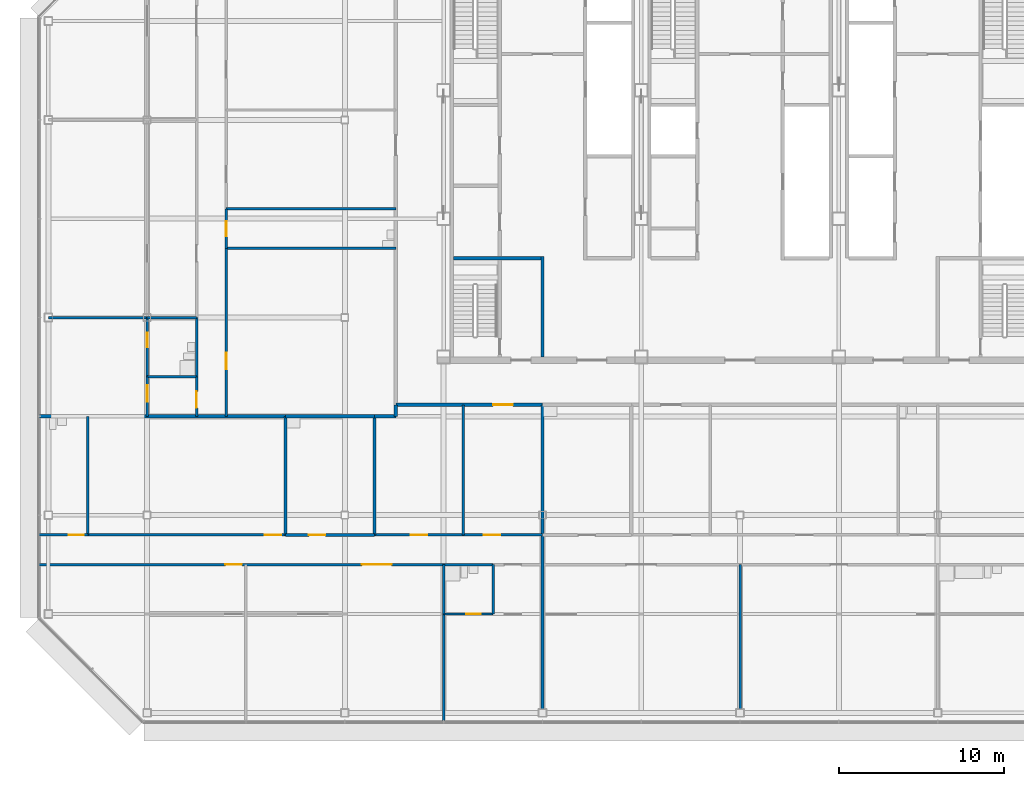
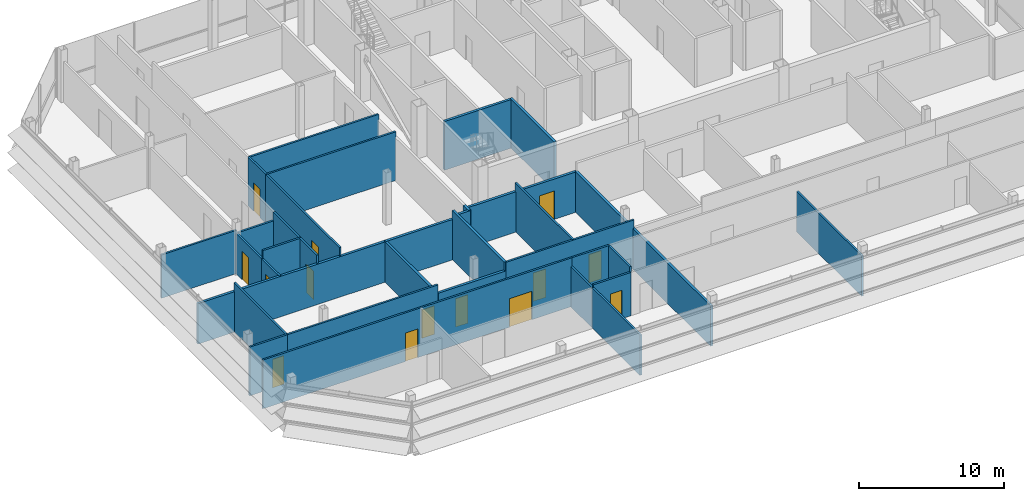
# One storey, part 21 of 29: 35 walls, 14 doors, 14 openings.
"""IFC4 building model written with IfcOpenShell, lengths in metres."""

from ifc_helpers import new_model, si_unit, direction, frame, frame_2d, origin, place, context, subcontext, project, spatial, rectangle, extrude, material, layer, layer_set, type_object, element, fill, save


model = new_model("IFC4")

# Units and contexts
model_context = context("Model", 3, precision=1e-05, world=origin(), true_north=direction((0.0, 1.0)))
body_context = subcontext(model_context, "Body", "Model", "MODEL_VIEW")
ifc_project = project(units=[si_unit("LENGTHUNIT", "METRE"), si_unit("AREAUNIT", "SQUARE_METRE"), si_unit("VOLUMEUNIT", "CUBIC_METRE"), si_unit("PLANEANGLEUNIT", "RADIAN"), si_unit("MASSUNIT", "GRAM", prefix="KILO")], contexts=[model_context])

# Site, building, storey
site_placement = place(None, origin())
site = spatial("IfcSite", under=ifc_project, at=site_placement, CompositionType="ELEMENT")
building_placement = place(site_placement, origin())
building = spatial("IfcBuilding", under=site, at=building_placement, Name="Sorahane Residences", CompositionType="ELEMENT")
storey_placement = place(building_placement, frame((0.0, 0.0, 326.800048828125)))
storey = spatial("IfcBuildingStorey", under=building, at=storey_placement, Name="L78", CompositionType="ELEMENT", Elevation=326.800048828125)

# Wall, opening, door
ifc_material_1 = material(Name="Concrete blockwork C20 wall", Category="masonry")
ifc_layer_1 = layer(ifc_material_1, 0.199951171875)
ifc_layer_set_1 = layer_set([ifc_layer_1], Name="Corridor wall 200 EI 120")
wall_type_1 = type_object("IfcWallType", Name="Corridor wall 200 EI 120", PredefinedType="SOLIDWALL", material=ifc_layer_set_1)
wall_1_placement = place(storey_placement, frame((3.10009765625, 18.699951171875, 0.0), z_axis=(0.0, 0.0, 1.0), x_axis=(1.0, 0.0, 0.0)))
wall_1 = element("IfcWall", 1, at=wall_1_placement, inside=storey, type_object=wall_type_1, Name="L78 corridor wall", PredefinedType="SOLIDWALL", context=body_context, shape_type="SweptSolid", body=[
    extrude(rectangle(XDim=8.89990234375, YDim=0.199951171875, at=frame_2d((4.449951171875, 0.0))), origin(), (0.0, 0.0, 1.0), 3.39990234375),
])
opening_1_placement = place(wall_1_placement, frame((5.89990234375, 0.0, 0.0)))
opening_1 = element("IfcOpeningElement", 2, at=opening_1_placement, cuts=wall_1, Name="Opening L78-38", PredefinedType="OPENING", context=body_context, shape_type="SweptSolid", body=[
    extrude(rectangle(XDim=1.199951171875, YDim=2.39990234375, at=frame_2d((0.60009765625, 1.199951171875))), frame((0.0, 0.10986328125, 0.0), z_axis=(0.0, -1.0, 0.0), x_axis=(1.0, 0.0, 0.0)), (0.0, 0.0, 1.0), 0.219970703125),
])
ifc_material_2 = material(Name="Timber veneered fire door", Category="wood")
door_type_1 = type_object("IfcDoorType", Name="Flat entrance door 1200x2400 FD60", OperationType="NOTDEFINED", PredefinedType="DOOR", material=ifc_material_2)
door_1_placement = place(opening_1_placement, frame((1.199951171875, 0.0, 0.0), z_axis=(0.0, 0.0, 1.0), x_axis=(-1.0, 0.0, 0.0)))
door_1 = element("IfcDoor", 3, at=door_1_placement, inside=storey, type_object=door_type_1, Name="Flat entrance door L78-38", OperationType="SINGLE_SWING_RIGHT", OverallHeight=2.39990234375, OverallWidth=1.199951171875, PredefinedType="DOOR", context=body_context, shape_type="SweptSolid", body=[
    extrude(rectangle(XDim=1.199951171875, YDim=2.39990234375, at=frame_2d((0.60009765625, 1.199951171875))), frame((0.0, 0.02490234375, 0.0), z_axis=(0.0, -1.0, 0.0), x_axis=(1.0, 0.0, 0.0)), (0.0, 0.0, 1.0), 0.050048828125),
])
fill(opening_1, door_1)

# Walls
ifc_material_3 = material(Name="Concrete C30", Category="concrete")
ifc_layer_2 = layer(ifc_material_3, 0.199951171875)
ifc_layer_set_2 = layer_set([ifc_layer_2], Name="Front room wall 200 EI 120")
wall_type_2 = type_object("IfcWallType", Name="Front room wall 200 EI 120", PredefinedType="PARTITIONING", material=ifc_layer_set_2)
wall_2_placement = place(storey_placement, frame((12.0, 21.60009765625, 0.0), z_axis=(0.0, 0.0, 1.0), x_axis=(0.0, 1.0, 0.0)))
element("IfcWall", 4, at=wall_2_placement, inside=storey, type_object=wall_type_2, Name="L78 front room wall", PredefinedType="PARTITIONING", context=body_context, shape_type="SweptSolid", body=[
    extrude(rectangle(XDim=6.099853515625, YDim=0.199951171875, at=frame_2d((3.0498046875, 0.0))), origin(), (0.0, 0.0, 1.0), 4.099853515625),
])
ifc_material_4 = material(Name="Concrete blockwork C20 wall", Category="masonry")
ifc_layer_3 = layer(ifc_material_4, 0.199951171875)
ifc_layer_set_3 = layer_set([ifc_layer_3], Name="Kitchen wall 200 EI 180")
wall_type_3 = type_object("IfcWallType", Name="Kitchen wall 200 EI 180", PredefinedType="SOLIDWALL", material=ifc_layer_set_3)
wall_3_placement = place(storey_placement, frame((-3.60009765625, 10.800048828125, 0.0), z_axis=(0.0, 0.0, 1.0), x_axis=(0.0, 1.0, 0.0)))
element("IfcWall", 5, at=wall_3_placement, inside=storey, type_object=wall_type_3, Name="L78 kitchen wall", PredefinedType="SOLIDWALL", context=body_context, shape_type="SweptSolid", body=[
    extrude(rectangle(XDim=7.199951171875, YDim=0.199951171875, at=frame_2d((3.60009765625, 0.0))), origin(), (0.0, 0.0, 1.0), 3.39990234375),
])
wall_4_placement = place(storey_placement, frame((1.800048828125, 10.800048828125, 0.0), z_axis=(0.0, 0.0, 1.0), x_axis=(0.0, 1.0, 0.0)))
element("IfcWall", 6, at=wall_4_placement, inside=storey, type_object=wall_type_3, Name="L78 kitchen wall", PredefinedType="SOLIDWALL", context=body_context, shape_type="SweptSolid", body=[
    extrude(rectangle(XDim=7.199951171875, YDim=0.199951171875, at=frame_2d((3.60009765625, 0.0))), origin(), (0.0, 0.0, 1.0), 4.099853515625),
])
wall_5_placement = place(storey_placement, frame((12.0, 10.800048828125, 0.0), z_axis=(0.0, 0.0, 1.0), x_axis=(0.0, 1.0, 0.0)))
element("IfcWall", 7, at=wall_5_placement, inside=storey, type_object=wall_type_3, Name="L78 kitchen wall", PredefinedType="SOLIDWALL", context=body_context, shape_type="SweptSolid", body=[
    extrude(rectangle(XDim=7.89990234375, YDim=0.199951171875, at=frame_2d((3.949951171875, 0.0))), origin(), (0.0, 0.0, 1.0), 3.39990234375),
])

# Wall, opening, door
wall_6_placement = place(storey_placement, frame((-3.60009765625, 10.800048828125, 0.0), z_axis=(0.0, 0.0, 1.0), x_axis=(1.0, 0.0, 0.0)))
wall_6 = element("IfcWall", 8, at=wall_6_placement, inside=storey, type_object=wall_type_3, Name="L78 kitchen wall", PredefinedType="SOLIDWALL", context=body_context, shape_type="SweptSolid", body=[
    extrude(rectangle(XDim=5.400146484375, YDim=0.199951171875, at=frame_2d((2.7001953125, 0.0))), origin(), (0.0, 0.0, 1.0), 3.39990234375),
])
opening_2_placement = place(wall_6_placement, frame((1.419921875, 0.0, 0.0)))
opening_2 = element("IfcOpeningElement", 9, at=opening_2_placement, cuts=wall_6, Name="Opening L78-04", PredefinedType="OPENING", context=body_context, shape_type="SweptSolid", body=[
    extrude(rectangle(XDim=1.0, YDim=2.39990234375, at=frame_2d((0.5, 1.199951171875))), frame((0.0, 0.10986328125, 0.0), z_axis=(0.0, -1.0, 0.0), x_axis=(1.0, 0.0, 0.0)), (0.0, 0.0, 1.0), 0.219970703125),
])
ifc_material_5 = material(Name="Steel", Category="steel")
door_type_2 = type_object("IfcDoorType", Name="Kitchen door 1000x2400 FD120", OperationType="NOTDEFINED", PredefinedType="DOOR", material=ifc_material_5)
door_2_placement = place(opening_2_placement, origin())
door_2 = element("IfcDoor", 10, at=door_2_placement, inside=storey, type_object=door_type_2, Name="Kitchen door L78-04", OperationType="SINGLE_SWING_RIGHT", OverallHeight=2.39990234375, OverallWidth=1.0, PredefinedType="DOOR", context=body_context, shape_type="SweptSolid", body=[
    extrude(rectangle(XDim=1.0, YDim=2.39990234375, at=frame_2d((0.5, 1.199951171875))), frame((0.0, 0.02490234375, 0.0), z_axis=(0.0, -1.0, 0.0), x_axis=(1.0, 0.0, 0.0)), (0.0, 0.0, 1.0), 0.050048828125),
])
fill(opening_2, door_2)

# Wall
wall_7_placement = place(storey_placement, frame((-3.60009765625, 18.0, 0.0), z_axis=(0.0, 0.0, 1.0), x_axis=(1.0, 0.0, 0.0)))
element("IfcWall", 11, at=wall_7_placement, inside=storey, type_object=wall_type_3, Name="L78 kitchen wall", PredefinedType="SOLIDWALL", context=body_context, shape_type="SweptSolid", body=[
    extrude(rectangle(XDim=5.400146484375, YDim=0.199951171875, at=frame_2d((2.7001953125, 0.0))), origin(), (0.0, 0.0, 1.0), 3.39990234375),
])

# Wall, opening, door
ifc_material_6 = material(Name="Gypsum board partition on steel studs", Category="steel")
ifc_layer_4 = layer(ifc_material_6, 0.14990234375)
ifc_layer_set_4 = layer_set([ifc_layer_4], Name="Partition 150 EI 90")
wall_type_4 = type_object("IfcWallType", Name="Partition 150 EI 90", PredefinedType="PARTITIONING", material=ifc_layer_set_4)
wall_8_placement = place(storey_placement, frame((-12.0, 18.0, 0.0), z_axis=(0.0, 0.0, 1.0), x_axis=(0.0, 1.0, 0.0)))
wall_8 = element("IfcWall", 12, at=wall_8_placement, inside=storey, type_object=wall_type_4, Name="L78 partition", PredefinedType="PARTITIONING", context=body_context, shape_type="SweptSolid", body=[
    extrude(rectangle(XDim=2.39990234375, YDim=0.14990234375, at=frame_2d((1.199951171875, 0.0))), origin(), (0.0, 0.0, 1.0), 3.39990234375),
])
opening_3_placement = place(wall_8_placement, frame((0.8798828125, 0.0, 0.0)))
opening_3 = element("IfcOpeningElement", 13, at=opening_3_placement, cuts=wall_8, Name="Opening L78-34", PredefinedType="OPENING", context=body_context, shape_type="SweptSolid", body=[
    extrude(rectangle(XDim=1.0, YDim=2.39990234375, at=frame_2d((0.5, 1.199951171875))), frame((0.0, 0.0849609375, 0.0), z_axis=(0.0, -1.0, 0.0), x_axis=(1.0, 0.0, 0.0)), (0.0, 0.0, 1.0), 0.169921875),
])
ifc_material_7 = material(Name="Timber veneered fire door", Category="wood")
door_type_3 = type_object("IfcDoorType", Name="Room door 1000x2400 FD30", OperationType="NOTDEFINED", PredefinedType="DOOR", material=ifc_material_7)
door_3_placement = place(opening_3_placement, origin())
door_3 = element("IfcDoor", 14, at=door_3_placement, inside=storey, type_object=door_type_3, Name="Room door L78-34", OperationType="SINGLE_SWING_LEFT", OverallHeight=2.39990234375, OverallWidth=1.0, PredefinedType="DOOR", context=body_context, shape_type="SweptSolid", body=[
    extrude(rectangle(XDim=1.0, YDim=2.39990234375, at=frame_2d((0.5, 1.199951171875))), frame((0.0, 0.02490234375, 0.0), z_axis=(0.0, -1.0, 0.0), x_axis=(1.0, 0.0, 0.0)), (0.0, 0.0, 1.0), 0.050048828125),
])
fill(opening_3, door_3)

wall_9_placement = place(storey_placement, frame((-7.199951171875, 18.0, 0.0), z_axis=(0.0, 0.0, 1.0), x_axis=(0.0, 1.0, 0.0)))
wall_9 = element("IfcWall", 15, at=wall_9_placement, inside=storey, type_object=wall_type_4, Name="L78 partition", PredefinedType="PARTITIONING", context=body_context, shape_type="SweptSolid", body=[
    extrude(rectangle(XDim=10.199951171875, YDim=0.14990234375, at=frame_2d((5.10009765625, 0.0))), origin(), (0.0, 0.0, 1.0), 4.099853515625),
])
opening_4_placement = place(wall_9_placement, frame((2.860107421875, 0.0, 0.0)))
opening_4 = element("IfcOpeningElement", 16, at=opening_4_placement, cuts=wall_9, Name="Opening L78-27", PredefinedType="OPENING", context=body_context, shape_type="SweptSolid", body=[
    extrude(rectangle(XDim=1.0, YDim=2.39990234375, at=frame_2d((0.5, 1.199951171875))), frame((0.0, 0.0849609375, 0.0), z_axis=(0.0, -1.0, 0.0), x_axis=(1.0, 0.0, 0.0)), (0.0, 0.0, 1.0), 0.169921875),
])
door_4_placement = place(opening_4_placement, frame((1.0, 0.0, 0.0), z_axis=(0.0, 0.0, 1.0), x_axis=(-1.0, 0.0, 0.0)))
door_4 = element("IfcDoor", 17, at=door_4_placement, inside=storey, type_object=door_type_3, Name="Room door L78-27", OperationType="SINGLE_SWING_RIGHT", OverallHeight=2.39990234375, OverallWidth=1.0, PredefinedType="DOOR", context=body_context, shape_type="SweptSolid", body=[
    extrude(rectangle(XDim=1.0, YDim=2.39990234375, at=frame_2d((0.5, 1.199951171875))), frame((0.0, 0.02490234375, 0.0), z_axis=(0.0, -1.0, 0.0), x_axis=(1.0, 0.0, 0.0)), (0.0, 0.0, 1.0), 0.050048828125),
])
fill(opening_4, door_4)

wall_10_placement = place(storey_placement, frame((-9.0, 18.0, 0.0), z_axis=(0.0, 0.0, 1.0), x_axis=(0.0, 1.0, 0.0)))
wall_10 = element("IfcWall", 18, at=wall_10_placement, inside=storey, type_object=wall_type_4, Name="L78 partition", PredefinedType="PARTITIONING", context=body_context, shape_type="SweptSolid", body=[
    extrude(rectangle(XDim=2.39990234375, YDim=0.14990234375, at=frame_2d((1.199951171875, 0.0))), origin(), (0.0, 0.0, 1.0), 4.099853515625),
])
opening_5_placement = place(wall_10_placement, frame((0.52001953125, 0.0, 0.0)))
opening_5 = element("IfcOpeningElement", 19, at=opening_5_placement, cuts=wall_10, Name="Opening L78-31", PredefinedType="OPENING", context=body_context, shape_type="SweptSolid", body=[
    extrude(rectangle(XDim=1.0, YDim=2.39990234375, at=frame_2d((0.5, 1.199951171875))), frame((0.0, 0.0849609375, 0.0), z_axis=(0.0, -1.0, 0.0), x_axis=(1.0, 0.0, 0.0)), (0.0, 0.0, 1.0), 0.169921875),
])
door_5_placement = place(opening_5_placement, origin())
door_5 = element("IfcDoor", 20, at=door_5_placement, inside=storey, type_object=door_type_3, Name="Room door L78-31", OperationType="SINGLE_SWING_RIGHT", OverallHeight=2.39990234375, OverallWidth=1.0, PredefinedType="DOOR", context=body_context, shape_type="SweptSolid", body=[
    extrude(rectangle(XDim=1.0, YDim=2.39990234375, at=frame_2d((0.5, 1.199951171875))), frame((0.0, 0.02490234375, 0.0), z_axis=(0.0, -1.0, 0.0), x_axis=(1.0, 0.0, 0.0)), (0.0, 0.0, 1.0), 0.050048828125),
])
fill(opening_5, door_5)

# Walls
wall_11_placement = place(storey_placement, frame((24.0, 0.0, 0.0), z_axis=(0.0, 0.0, 1.0), x_axis=(0.0, 1.0, 0.0)))
element("IfcWall", 21, at=wall_11_placement, inside=storey, type_object=wall_type_4, Name="L78 partition", PredefinedType="PARTITIONING", context=body_context, shape_type="SweptSolid", body=[
    extrude(rectangle(XDim=9.0, YDim=0.14990234375, at=frame_2d((4.5, 0.0))), origin(), (0.0, 0.0, 1.0), 3.39990234375),
])
wall_12_placement = place(storey_placement, frame((6.0, -0.60009765625, 0.0), z_axis=(0.0, 0.0, 1.0), x_axis=(0.0, 1.0, 0.0)))
element("IfcWall", 22, at=wall_12_placement, inside=storey, type_object=wall_type_4, Name="L78 partition", PredefinedType="PARTITIONING", context=body_context, shape_type="SweptSolid", body=[
    extrude(rectangle(XDim=6.60009765625, YDim=0.14990234375, at=frame_2d((3.300048828125, 0.0))), origin(), (0.0, 0.0, 1.0), 3.39990234375),
])
wall_13_placement = place(storey_placement, frame((7.199951171875, 10.800048828125, 0.0), z_axis=(0.0, 0.0, 1.0), x_axis=(0.0, 1.0, 0.0)))
element("IfcWall", 23, at=wall_13_placement, inside=storey, type_object=wall_type_4, Name="L78 partition", PredefinedType="PARTITIONING", context=body_context, shape_type="SweptSolid", body=[
    extrude(rectangle(XDim=7.89990234375, YDim=0.14990234375, at=frame_2d((3.949951171875, 0.0))), origin(), (0.0, 0.0, 1.0), 4.099853515625),
])

# Wall, opening, door
wall_14_placement = place(storey_placement, frame((-15.60009765625, 10.800048828125, 0.0), z_axis=(0.0, 0.0, 1.0), x_axis=(1.0, 0.0, 0.0)))
wall_14 = element("IfcWall", 24, at=wall_14_placement, inside=storey, type_object=wall_type_4, Name="L78 partition", PredefinedType="PARTITIONING", context=body_context, shape_type="SweptSolid", body=[
    extrude(rectangle(XDim=12.0, YDim=0.14990234375, at=frame_2d((6.0, 0.0))), origin(), (0.0, 0.0, 1.0), 4.099853515625),
])
opening_6_placement = place(wall_14_placement, frame((10.75, 0.0, 0.0)))
opening_6 = element("IfcOpeningElement", 25, at=opening_6_placement, cuts=wall_14, Name="Opening L78-03", PredefinedType="OPENING", context=body_context, shape_type="SweptSolid", body=[
    extrude(rectangle(XDim=1.0, YDim=2.39990234375, at=frame_2d((0.5, 1.199951171875))), frame((0.0, 0.0849609375, 0.0), z_axis=(0.0, -1.0, 0.0), x_axis=(1.0, 0.0, 0.0)), (0.0, 0.0, 1.0), 0.169921875),
])
door_6_placement = place(opening_6_placement, origin())
door_6 = element("IfcDoor", 26, at=door_6_placement, inside=storey, type_object=door_type_3, Name="Room door L78-03", OperationType="SINGLE_SWING_LEFT", OverallHeight=2.39990234375, OverallWidth=1.0, PredefinedType="DOOR", context=body_context, shape_type="SweptSolid", body=[
    extrude(rectangle(XDim=1.0, YDim=2.39990234375, at=frame_2d((0.5, 1.199951171875))), frame((0.0, 0.02490234375, 0.0), z_axis=(0.0, -1.0, 0.0), x_axis=(1.0, 0.0, 0.0)), (0.0, 0.0, 1.0), 0.050048828125),
])
fill(opening_6, door_6)

# Wall, openings, doors
wall_15_placement = place(storey_placement, frame((1.800048828125, 10.800048828125, 0.0), z_axis=(0.0, 0.0, 1.0), x_axis=(1.0, 0.0, 0.0)))
wall_15 = element("IfcWall", 27, at=wall_15_placement, inside=storey, type_object=wall_type_4, Name="L78 partition", PredefinedType="PARTITIONING", context=body_context, shape_type="SweptSolid", body=[
    extrude(rectangle(XDim=10.199951171875, YDim=0.14990234375, at=frame_2d((5.10009765625, 0.0))), origin(), (0.0, 0.0, 1.0), 4.099853515625),
])
opening_7_placement = place(wall_15_placement, frame((6.639892578125, 0.0, 0.0)))
opening_7 = element("IfcOpeningElement", 28, at=opening_7_placement, cuts=wall_15, Name="Opening L78-01", PredefinedType="OPENING", context=body_context, shape_type="SweptSolid", body=[
    extrude(rectangle(XDim=1.0, YDim=2.39990234375, at=frame_2d((0.5, 1.199951171875))), frame((0.0, 0.0849609375, 0.0), z_axis=(0.0, -1.0, 0.0), x_axis=(1.0, 0.0, 0.0)), (0.0, 0.0, 1.0), 0.169921875),
])
opening_8_placement = place(wall_15_placement, frame((2.199951171875, 0.0, 0.0)))
opening_8 = element("IfcOpeningElement", 29, at=opening_8_placement, cuts=wall_15, Name="Opening L78-05", PredefinedType="OPENING", context=body_context, shape_type="SweptSolid", body=[
    extrude(rectangle(XDim=1.0, YDim=2.39990234375, at=frame_2d((0.5, 1.199951171875))), frame((0.0, 0.0849609375, 0.0), z_axis=(0.0, -1.0, 0.0), x_axis=(1.0, 0.0, 0.0)), (0.0, 0.0, 1.0), 0.169921875),
])
door_7_placement = place(opening_7_placement, frame((1.0, 0.0, 0.0), z_axis=(0.0, 0.0, 1.0), x_axis=(-1.0, 0.0, 0.0)))
door_7 = element("IfcDoor", 30, at=door_7_placement, inside=storey, type_object=door_type_3, Name="Room door L78-01", OperationType="SINGLE_SWING_LEFT", OverallHeight=2.39990234375, OverallWidth=1.0, PredefinedType="DOOR", context=body_context, shape_type="SweptSolid", body=[
    extrude(rectangle(XDim=1.0, YDim=2.39990234375, at=frame_2d((0.5, 1.199951171875))), frame((0.0, 0.02490234375, 0.0), z_axis=(0.0, -1.0, 0.0), x_axis=(1.0, 0.0, 0.0)), (0.0, 0.0, 1.0), 0.050048828125),
])
fill(opening_7, door_7)
door_8_placement = place(opening_8_placement, origin())
door_8 = element("IfcDoor", 31, at=door_8_placement, inside=storey, type_object=door_type_3, Name="Room door L78-05", OperationType="SINGLE_SWING_RIGHT", OverallHeight=2.39990234375, OverallWidth=1.0, PredefinedType="DOOR", context=body_context, shape_type="SweptSolid", body=[
    extrude(rectangle(XDim=1.0, YDim=2.39990234375, at=frame_2d((0.5, 1.199951171875))), frame((0.0, 0.02490234375, 0.0), z_axis=(0.0, -1.0, 0.0), x_axis=(1.0, 0.0, 0.0)), (0.0, 0.0, 1.0), 0.050048828125),
])
fill(opening_8, door_8)

# Wall
wall_16_placement = place(storey_placement, frame((-18.0, 24.0, 0.0), z_axis=(0.0, 0.0, 1.0), x_axis=(1.0, 0.0, 0.0)))
element("IfcWall", 32, at=wall_16_placement, inside=storey, type_object=wall_type_4, Name="L78 partition", PredefinedType="PARTITIONING", context=body_context, shape_type="SweptSolid", body=[
    extrude(rectangle(XDim=6.0, YDim=0.14990234375, at=frame_2d((3.0, 0.0))), origin(), (0.0, 0.0, 1.0), 3.64990234375),
])

# Wall, openings, doors
wall_17_placement = place(storey_placement, frame((-18.60009765625, 9.0, 0.0), z_axis=(0.0, 0.0, 1.0), x_axis=(1.0, 0.0, 0.0)))
wall_17 = element("IfcWall", 33, at=wall_17_placement, inside=storey, type_object=wall_type_4, Name="L78 partition", PredefinedType="PARTITIONING", context=body_context, shape_type="SweptSolid", body=[
    extrude(rectangle(XDim=24.60009765625, YDim=0.14990234375, at=frame_2d((12.300048828125, 0.0))), origin(), (0.0, 0.0, 1.0), 4.099853515625),
])
opening_9_placement = place(wall_17_placement, frame((11.35009765625, 0.0, 0.0)))
opening_9 = element("IfcOpeningElement", 34, at=opening_9_placement, cuts=wall_17, Name="Opening L78-06", PredefinedType="OPENING", context=body_context, shape_type="SweptSolid", body=[
    extrude(rectangle(XDim=1.0, YDim=2.39990234375, at=frame_2d((0.5, 1.199951171875))), frame((0.0, 0.0849609375, 0.0), z_axis=(0.0, -1.0, 0.0), x_axis=(1.0, 0.0, 0.0)), (0.0, 0.0, 1.0), 0.169921875),
])
opening_10_placement = place(wall_17_placement, frame((19.639892578125, 0.0, 0.0)))
opening_10 = element("IfcOpeningElement", 35, at=opening_10_placement, cuts=wall_17, Name="Opening L78-07", PredefinedType="OPENING", context=body_context, shape_type="SweptSolid", body=[
    extrude(rectangle(XDim=1.800048828125, YDim=2.39990234375, at=frame_2d((0.89990234375, 1.199951171875))), frame((0.0, 0.0849609375, 0.0), z_axis=(0.0, -1.0, 0.0), x_axis=(1.0, 0.0, 0.0)), (0.0, 0.0, 1.0), 0.169921875),
])
ifc_material_8 = material(Name="Timber veneered fire door", Category="wood")
door_type_4 = type_object("IfcDoorType", Name="Double door 1800x2400 FD30", OperationType="NOTDEFINED", PredefinedType="DOOR", material=ifc_material_8)
door_9_placement = place(opening_10_placement, frame((1.800048828125, 0.0, 0.0), z_axis=(0.0, 0.0, 1.0), x_axis=(-1.0, 0.0, 0.0)))
door_9 = element("IfcDoor", 36, at=door_9_placement, inside=storey, type_object=door_type_4, Name="Double door L78-07", OperationType="SINGLE_SWING_LEFT", OverallHeight=2.39990234375, OverallWidth=1.800048828125, PredefinedType="DOOR", context=body_context, shape_type="SweptSolid", body=[
    extrude(rectangle(XDim=1.800048828125, YDim=2.39990234375, at=frame_2d((0.89990234375, 1.199951171875))), frame((0.0, 0.02490234375, 0.0), z_axis=(0.0, -1.0, 0.0), x_axis=(1.0, 0.0, 0.0)), (0.0, 0.0, 1.0), 0.050048828125),
])
fill(opening_10, door_9)
door_10_placement = place(opening_9_placement, frame((1.0, 0.0, 0.0), z_axis=(0.0, 0.0, 1.0), x_axis=(-1.0, 0.0, 0.0)))
door_10 = element("IfcDoor", 37, at=door_10_placement, inside=storey, type_object=door_type_3, Name="Room door L78-06", OperationType="SINGLE_SWING_LEFT", OverallHeight=2.39990234375, OverallWidth=1.0, PredefinedType="DOOR", context=body_context, shape_type="SweptSolid", body=[
    extrude(rectangle(XDim=1.0, YDim=2.39990234375, at=frame_2d((0.5, 1.199951171875))), frame((0.0, 0.02490234375, 0.0), z_axis=(0.0, -1.0, 0.0), x_axis=(1.0, 0.0, 0.0)), (0.0, 0.0, 1.0), 0.050048828125),
])
fill(opening_9, door_10)

# Walls
ifc_material_9 = material(Name="Concrete blockwork C20 wall", Category="masonry")
ifc_layer_5 = layer(ifc_material_9, 0.199951171875)
ifc_layer_set_5 = layer_set([ifc_layer_5], Name="Party wall 200 EI 120")
wall_type_5 = type_object("IfcWallType", Name="Party wall 200 EI 120", PredefinedType="SOLIDWALL", material=ifc_layer_set_5)
wall_18_placement = place(storey_placement, frame((12.0, 0.0, 0.0), z_axis=(0.0, 0.0, 1.0), x_axis=(0.0, 1.0, 0.0)))
element("IfcWall", 38, at=wall_18_placement, inside=storey, type_object=wall_type_5, Name="L78 party wall", PredefinedType="SOLIDWALL", context=body_context, shape_type="SweptSolid", body=[
    extrude(rectangle(XDim=10.800048828125, YDim=0.199951171875, at=frame_2d((5.39990234375, 0.0))), origin(), (0.0, 0.0, 1.0), 3.39990234375),
])
wall_19_placement = place(storey_placement, frame((3.10009765625, 18.0, 0.0), z_axis=(0.0, 0.0, 1.0), x_axis=(0.0, 1.0, 0.0)))
element("IfcWall", 39, at=wall_19_placement, inside=storey, type_object=wall_type_5, Name="L78 party wall", PredefinedType="SOLIDWALL", context=body_context, shape_type="SweptSolid", body=[
    extrude(rectangle(XDim=0.699951171875, YDim=0.199951171875, at=frame_2d((0.35009765625, 0.0))), origin(), (0.0, 0.0, 1.0), 3.64990234375),
])
wall_20_placement = place(storey_placement, frame((-18.60009765625, 18.0, 0.0), z_axis=(0.0, 0.0, 1.0), x_axis=(1.0, 0.0, 0.0)))
element("IfcWall", 40, at=wall_20_placement, inside=storey, type_object=wall_type_5, Name="L78 party wall", PredefinedType="SOLIDWALL", context=body_context, shape_type="SweptSolid", body=[
    extrude(rectangle(XDim=15.0, YDim=0.199951171875, at=frame_2d((7.5, 0.0))), origin(), (0.0, 0.0, 1.0), 3.39990234375),
])
wall_21_placement = place(storey_placement, frame((1.800048828125, 18.0, 0.0), z_axis=(0.0, 0.0, 1.0), x_axis=(1.0, 0.0, 0.0)))
element("IfcWall", 41, at=wall_21_placement, inside=storey, type_object=wall_type_5, Name="L78 party wall", PredefinedType="SOLIDWALL", context=body_context, shape_type="SweptSolid", body=[
    extrude(rectangle(XDim=1.300048828125, YDim=0.199951171875, at=frame_2d((0.64990234375, 0.0))), origin(), (0.0, 0.0, 1.0), 3.64990234375),
])
ifc_material_10 = material(Name="Concrete C30", Category="concrete")
ifc_layer_6 = layer(ifc_material_10, 0.199951171875)
ifc_layer_set_6 = layer_set([ifc_layer_6], Name="Stair enclosure wall 200 EI 120")
wall_type_6 = type_object("IfcWallType", Name="Stair enclosure wall 200 EI 120", PredefinedType="SOLIDWALL", material=ifc_layer_set_6)
wall_22_placement = place(storey_placement, frame((6.60009765625, 27.60009765625, 0.0), z_axis=(0.0, 0.0, 1.0), x_axis=(1.0, 0.0, 0.0)))
element("IfcWall", 42, at=wall_22_placement, inside=storey, type_object=wall_type_6, Name="L78 stair enclosure wall", PredefinedType="SOLIDWALL", context=body_context, shape_type="SweptSolid", body=[
    extrude(rectangle(XDim=5.2998046875, YDim=0.199951171875, at=frame_2d((2.64990234375, 0.0))), origin(), (0.0, 0.0, 1.0), 4.099853515625),
])

# Wall, opening, door
ifc_material_11 = material(Name="Gypsum board partition on steel studs", Category="steel")
ifc_layer_7 = layer(ifc_material_11, 0.14990234375)
ifc_layer_set_7 = layer_set([ifc_layer_7], Name="Wet wall 150 EI 90")
wall_type_7 = type_object("IfcWallType", Name="Wet wall 150 EI 90", PredefinedType="PARTITIONING", material=ifc_layer_set_7)
wall_23_placement = place(storey_placement, frame((-12.0, 20.39990234375, 0.0), z_axis=(0.0, 0.0, 1.0), x_axis=(0.0, 1.0, 0.0)))
wall_23 = element("IfcWall", 43, at=wall_23_placement, inside=storey, type_object=wall_type_7, Name="L78 wet wall", PredefinedType="PARTITIONING", context=body_context, shape_type="SweptSolid", body=[
    extrude(rectangle(XDim=3.60009765625, YDim=0.14990234375, at=frame_2d((1.800048828125, 0.0))), origin(), (0.0, 0.0, 1.0), 3.39990234375),
])
opening_11_placement = place(wall_23_placement, frame((1.7900390625, 0.0, 0.0)))
opening_11 = element("IfcOpeningElement", 44, at=opening_11_placement, cuts=wall_23, Name="Opening L78-35", PredefinedType="OPENING", context=body_context, shape_type="SweptSolid", body=[
    extrude(rectangle(XDim=0.89990234375, YDim=2.39990234375, at=frame_2d((0.449951171875, 1.199951171875))), frame((0.0, 0.0849609375, 0.0), z_axis=(0.0, -1.0, 0.0), x_axis=(1.0, 0.0, 0.0)), (0.0, 0.0, 1.0), 0.169921875),
])
ifc_material_12 = material(Name="Timber veneered fire door", Category="wood")
door_type_5 = type_object("IfcDoorType", Name="Bathroom door 900x2400 FD30", OperationType="NOTDEFINED", PredefinedType="DOOR", material=ifc_material_12)
door_11_placement = place(opening_11_placement, origin())
door_11 = element("IfcDoor", 45, at=door_11_placement, inside=storey, type_object=door_type_5, Name="Bathroom door L78-35", OperationType="SINGLE_SWING_RIGHT", OverallHeight=2.39990234375, OverallWidth=0.89990234375, PredefinedType="DOOR", context=body_context, shape_type="SweptSolid", body=[
    extrude(rectangle(XDim=0.89990234375, YDim=2.39990234375, at=frame_2d((0.449951171875, 1.199951171875))), frame((0.0, 0.02490234375, 0.0), z_axis=(0.0, -1.0, 0.0), x_axis=(1.0, 0.0, 0.0)), (0.0, 0.0, 1.0), 0.050048828125),
])
fill(opening_11, door_11)

# Wall
wall_24_placement = place(storey_placement, frame((-15.60009765625, 10.800048828125, 0.0), z_axis=(0.0, 0.0, 1.0), x_axis=(0.0, 1.0, 0.0)))
element("IfcWall", 46, at=wall_24_placement, inside=storey, type_object=wall_type_7, Name="L78 wet wall", PredefinedType="PARTITIONING", context=body_context, shape_type="SweptSolid", body=[
    extrude(rectangle(XDim=7.199951171875, YDim=0.14990234375, at=frame_2d((3.60009765625, 0.0))), origin(), (0.0, 0.0, 1.0), 4.099853515625),
])

# Wall, opening, door
wall_25_placement = place(storey_placement, frame((-7.199951171875, 28.199951171875, 0.0), z_axis=(0.0, 0.0, 1.0), x_axis=(0.0, 1.0, 0.0)))
wall_25 = element("IfcWall", 47, at=wall_25_placement, inside=storey, type_object=wall_type_7, Name="L78 wet wall", PredefinedType="PARTITIONING", context=body_context, shape_type="SweptSolid", body=[
    extrude(rectangle(XDim=2.400146484375, YDim=0.14990234375, at=frame_2d((1.2001953125, 0.0))), origin(), (0.0, 0.0, 1.0), 4.099853515625),
])
opening_12_placement = place(wall_25_placement, frame((0.75, 0.0, 0.0)))
opening_12 = element("IfcOpeningElement", 48, at=opening_12_placement, cuts=wall_25, Name="Opening L78-28", PredefinedType="OPENING", context=body_context, shape_type="SweptSolid", body=[
    extrude(rectangle(XDim=0.89990234375, YDim=2.39990234375, at=frame_2d((0.449951171875, 1.199951171875))), frame((0.0, 0.0849609375, 0.0), z_axis=(0.0, -1.0, 0.0), x_axis=(1.0, 0.0, 0.0)), (0.0, 0.0, 1.0), 0.169921875),
])
door_12_placement = place(opening_12_placement, origin())
door_12 = element("IfcDoor", 49, at=door_12_placement, inside=storey, type_object=door_type_5, Name="Bathroom door L78-28", OperationType="SINGLE_SWING_RIGHT", OverallHeight=2.39990234375, OverallWidth=0.89990234375, PredefinedType="DOOR", context=body_context, shape_type="SweptSolid", body=[
    extrude(rectangle(XDim=0.89990234375, YDim=2.39990234375, at=frame_2d((0.449951171875, 1.199951171875))), frame((0.0, 0.02490234375, 0.0), z_axis=(0.0, -1.0, 0.0), x_axis=(1.0, 0.0, 0.0)), (0.0, 0.0, 1.0), 0.050048828125),
])
fill(opening_12, door_12)

# Walls
wall_26_placement = place(storey_placement, frame((-9.0, 20.39990234375, 0.0), z_axis=(0.0, 0.0, 1.0), x_axis=(0.0, 1.0, 0.0)))
element("IfcWall", 50, at=wall_26_placement, inside=storey, type_object=wall_type_7, Name="L78 wet wall", PredefinedType="PARTITIONING", context=body_context, shape_type="SweptSolid", body=[
    extrude(rectangle(XDim=3.60009765625, YDim=0.14990234375, at=frame_2d((1.800048828125, 0.0))), origin(), (0.0, 0.0, 1.0), 4.099853515625),
])
wall_27_placement = place(storey_placement, frame((6.0, 6.0, 0.0), z_axis=(0.0, 0.0, 1.0), x_axis=(0.0, 1.0, 0.0)))
element("IfcWall", 51, at=wall_27_placement, inside=storey, type_object=wall_type_7, Name="L78 wet wall", PredefinedType="PARTITIONING", context=body_context, shape_type="SweptSolid", body=[
    extrude(rectangle(XDim=3.0, YDim=0.14990234375, at=frame_2d((1.5, 0.0))), origin(), (0.0, 0.0, 1.0), 3.39990234375),
])
wall_28_placement = place(storey_placement, frame((9.0, 6.0, 0.0), z_axis=(0.0, 0.0, 1.0), x_axis=(0.0, 1.0, 0.0)))
element("IfcWall", 52, at=wall_28_placement, inside=storey, type_object=wall_type_7, Name="L78 wet wall", PredefinedType="PARTITIONING", context=body_context, shape_type="SweptSolid", body=[
    extrude(rectangle(XDim=3.0, YDim=0.14990234375, at=frame_2d((1.5, 0.0))), origin(), (0.0, 0.0, 1.0), 4.099853515625),
])

# Wall, opening, door
wall_29_placement = place(storey_placement, frame((-18.60009765625, 10.800048828125, 0.0), z_axis=(0.0, 0.0, 1.0), x_axis=(1.0, 0.0, 0.0)))
wall_29 = element("IfcWall", 53, at=wall_29_placement, inside=storey, type_object=wall_type_7, Name="L78 wet wall", PredefinedType="PARTITIONING", context=body_context, shape_type="SweptSolid", body=[
    extrude(rectangle(XDim=3.0, YDim=0.14990234375, at=frame_2d((1.5, 0.0))), origin(), (0.0, 0.0, 1.0), 4.099853515625),
])
opening_13_placement = place(wall_29_placement, frame((1.85009765625, 0.0, 0.0)))
opening_13 = element("IfcOpeningElement", 54, at=opening_13_placement, cuts=wall_29, Name="Opening L78-02", PredefinedType="OPENING", context=body_context, shape_type="SweptSolid", body=[
    extrude(rectangle(XDim=0.89990234375, YDim=2.39990234375, at=frame_2d((0.449951171875, 1.199951171875))), frame((0.0, 0.0849609375, 0.0), z_axis=(0.0, -1.0, 0.0), x_axis=(1.0, 0.0, 0.0)), (0.0, 0.0, 1.0), 0.169921875),
])
door_13_placement = place(opening_13_placement, frame((0.89990234375, 0.0, 0.0), z_axis=(0.0, 0.0, 1.0), x_axis=(-1.0, 0.0, 0.0)))
door_13 = element("IfcDoor", 55, at=door_13_placement, inside=storey, type_object=door_type_5, Name="Bathroom door L78-02", OperationType="SINGLE_SWING_LEFT", OverallHeight=2.39990234375, OverallWidth=0.89990234375, PredefinedType="DOOR", context=body_context, shape_type="SweptSolid", body=[
    extrude(rectangle(XDim=0.89990234375, YDim=2.39990234375, at=frame_2d((0.449951171875, 1.199951171875))), frame((0.0, 0.02490234375, 0.0), z_axis=(0.0, -1.0, 0.0), x_axis=(1.0, 0.0, 0.0)), (0.0, 0.0, 1.0), 0.050048828125),
])
fill(opening_13, door_13)

# Walls
wall_30_placement = place(storey_placement, frame((-12.0, 20.39990234375, 0.0), z_axis=(0.0, 0.0, 1.0), x_axis=(1.0, 0.0, 0.0)))
element("IfcWall", 56, at=wall_30_placement, inside=storey, type_object=wall_type_7, Name="L78 wet wall", PredefinedType="PARTITIONING", context=body_context, shape_type="SweptSolid", body=[
    extrude(rectangle(XDim=3.0, YDim=0.14990234375, at=frame_2d((1.5, 0.0))), origin(), (0.0, 0.0, 1.0), 4.099853515625),
])
wall_31_placement = place(storey_placement, frame((-12.0, 24.0, 0.0), z_axis=(0.0, 0.0, 1.0), x_axis=(1.0, 0.0, 0.0)))
element("IfcWall", 57, at=wall_31_placement, inside=storey, type_object=wall_type_7, Name="L78 wet wall", PredefinedType="PARTITIONING", context=body_context, shape_type="SweptSolid", body=[
    extrude(rectangle(XDim=3.0, YDim=0.14990234375, at=frame_2d((1.5, 0.0))), origin(), (0.0, 0.0, 1.0), 3.39990234375),
])
for number, where, z_axis, x_axis, name in (
    (58, (-7.199951171875, 28.199951171875, 0.0), (0.0, 0.0, 1.0), (1.0, 0.0, 0.0), "L78 wet wall"),
    (59, (-7.199951171875, 30.60009765625, 0.0), (0.0, 0.0, 1.0), (1.0, 0.0, 0.0), "L78 wet wall"),
):
    element("IfcWall", number, at=place(storey_placement, frame(where, z_axis=z_axis, x_axis=x_axis)), inside=storey, type_object=wall_type_7, Name=name, PredefinedType="PARTITIONING", context=body_context, shape_type="SweptSolid", body=[
        extrude(rectangle(XDim=10.300048828125, YDim=0.14990234375, at=frame_2d((5.14990234375, 0.0))), origin(), (0.0, 0.0, 1.0), 4.099853515625),
    ])

# Wall, opening, door
wall_32_placement = place(storey_placement, frame((6.0, 6.0, 0.0), z_axis=(0.0, 0.0, 1.0), x_axis=(1.0, 0.0, 0.0)))
wall_32 = element("IfcWall", 60, at=wall_32_placement, inside=storey, type_object=wall_type_7, Name="L78 wet wall", PredefinedType="PARTITIONING", context=body_context, shape_type="SweptSolid", body=[
    extrude(rectangle(XDim=3.0, YDim=0.14990234375, at=frame_2d((1.5, 0.0))), origin(), (0.0, 0.0, 1.0), 3.64990234375),
])
opening_14_placement = place(wall_32_placement, frame((1.3701171875, 0.0, 0.0)))
opening_14 = element("IfcOpeningElement", 61, at=opening_14_placement, cuts=wall_32, Name="Opening L78-12", PredefinedType="OPENING", context=body_context, shape_type="SweptSolid", body=[
    extrude(rectangle(XDim=0.89990234375, YDim=2.39990234375, at=frame_2d((0.449951171875, 1.199951171875))), frame((0.0, 0.0849609375, 0.0), z_axis=(0.0, -1.0, 0.0), x_axis=(1.0, 0.0, 0.0)), (0.0, 0.0, 1.0), 0.169921875),
])
door_14_placement = place(opening_14_placement, frame((0.89990234375, 0.0, 0.0), z_axis=(0.0, 0.0, 1.0), x_axis=(-1.0, 0.0, 0.0)))
door_14 = element("IfcDoor", 62, at=door_14_placement, inside=storey, type_object=door_type_5, Name="Bathroom door L78-12", OperationType="SINGLE_SWING_RIGHT", OverallHeight=2.39990234375, OverallWidth=0.89990234375, PredefinedType="DOOR", context=body_context, shape_type="SweptSolid", body=[
    extrude(rectangle(XDim=0.89990234375, YDim=2.39990234375, at=frame_2d((0.449951171875, 1.199951171875))), frame((0.0, 0.02490234375, 0.0), z_axis=(0.0, -1.0, 0.0), x_axis=(1.0, 0.0, 0.0)), (0.0, 0.0, 1.0), 0.050048828125),
])
fill(opening_14, door_14)

# Wall
wall_33_placement = place(storey_placement, frame((6.0, 9.0, 0.0), z_axis=(0.0, 0.0, 1.0), x_axis=(1.0, 0.0, 0.0)))
element("IfcWall", 63, at=wall_33_placement, inside=storey, type_object=wall_type_7, Name="L78 wet wall", PredefinedType="PARTITIONING", context=body_context, shape_type="SweptSolid", body=[
    extrude(rectangle(XDim=3.0, YDim=0.14990234375, at=frame_2d((1.5, 0.0))), origin(), (0.0, 0.0, 1.0), 4.099853515625),
])

save(model, "model.ifc")
